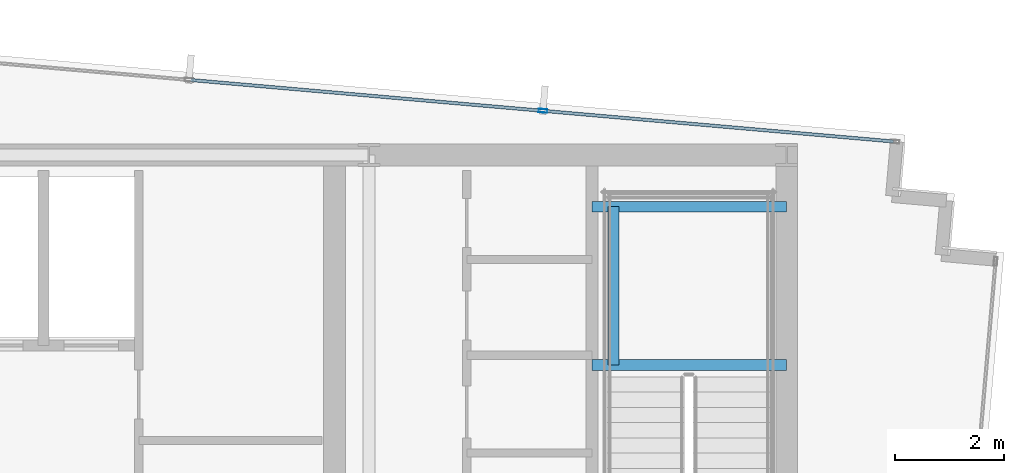
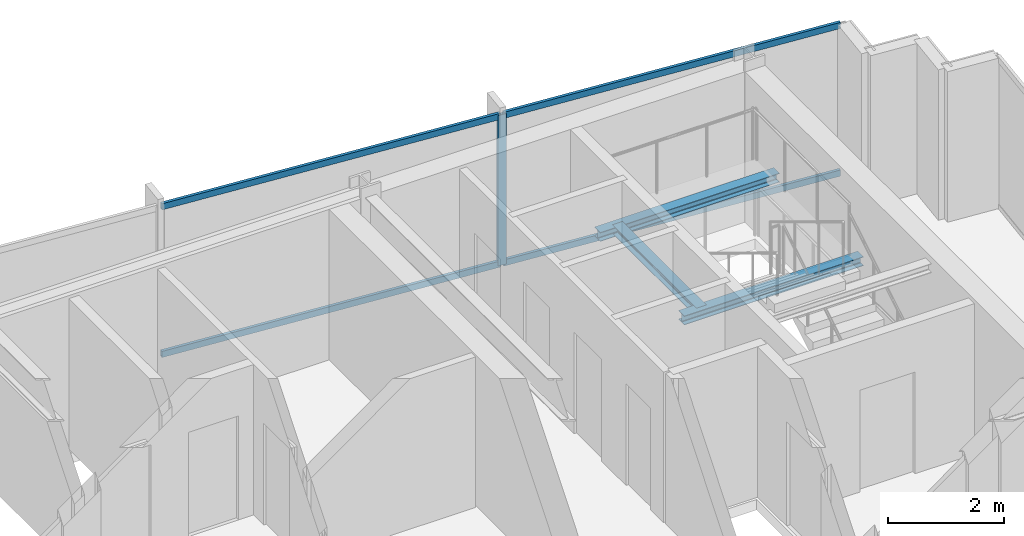
# One storey, part 20 of 32: 5 members, 3 beams, 1 element without a shape of its own.
"""IFC4 building model written with IfcOpenShell, lengths in metres."""

from ifc_helpers import new_model, si_unit, direction, frame, origin, origin_2d, place, context, subcontext, project, spatial, hollow_rectangle, i_section, extrude, material, material_profile, profile_set, type_object, element, aggregate, save


model = new_model("IFC4")

# Units and contexts
model_context = context("Model", 3, precision=1e-05, world=origin(), true_north=direction((0.0, 1.0)))
body_context = subcontext(model_context, "Body", "Model", "MODEL_VIEW")
ifc_project = project(units=[si_unit("LENGTHUNIT", "METRE"), si_unit("AREAUNIT", "SQUARE_METRE"), si_unit("VOLUMEUNIT", "CUBIC_METRE"), si_unit("PLANEANGLEUNIT", "RADIAN"), si_unit("MASSUNIT", "GRAM", prefix="KILO")], contexts=[model_context])

# Site, building, storey
site_placement = place(None, origin())
site = spatial("IfcSite", under=ifc_project, at=site_placement, CompositionType="ELEMENT")
building_placement = place(site_placement, origin())
building = spatial("IfcBuilding", under=site, at=building_placement, Name="Yelkora Congress Tower", CompositionType="ELEMENT")
storey_placement = place(building_placement, frame((0.0, 0.0, 293.10009765625)))
storey = spatial("IfcBuildingStorey", under=building, at=storey_placement, Name="L82", CompositionType="ELEMENT", Elevation=293.10009765625)

# Beams
ifc_material_1 = material(Name="Steel S355J2", Category="steel")
ifc_material_profile_1 = material_profile(ifc_material_1, i_section(OverallWidth=0.199951171875, OverallDepth=0.18994140625, WebThickness=0.006591796875, FlangeThickness=0.010009765625, FilletRadius=0.01806640625, at=origin_2d()), Name="HEA 200")
ifc_profile_set_1 = profile_set([ifc_material_profile_1], Name="Steel S355J2")
beam_type = type_object("IfcBeamType", Name="BM-LAND-HEA200", PredefinedType="BEAM", material=ifc_profile_set_1)
for number, where, z_axis, x_axis, name in (
    (1, (50.179931640625, 42.340087890625, 1.384521484375), (1.0, 0.0, 0.0), (0.0, 1.0, 0.0), "ST-02 L82 Landing Header Beam 1S"),
    (2, (50.179931640625, 45.25, 1.384521484375), (1.0, 0.0, 0.0), (0.0, 1.0, 0.0), "ST-02 L82 Landing Header Beam 1N"),
):
    element("IfcBeam", number, at=place(storey_placement, frame(where, z_axis=z_axis, x_axis=x_axis)), inside=storey, type_object=beam_type, Name=name, PredefinedType="BEAM", context=body_context, shape_type="SweptSolid", body=[
        extrude(i_section(OverallWidth=0.199951171875, OverallDepth=0.18994140625, WebThickness=0.006591796875, FlangeThickness=0.010009765625, FilletRadius=0.01806640625, at=origin_2d()), origin(), (0.0, 0.0, 1.0), 3.580078125),
    ])
beam_placement = place(storey_placement, frame((50.580078125, 42.340087890625, 1.384521484375), z_axis=(0.0, 1.0, 0.0), x_axis=(-1.0, 0.0, 0.0)))
element("IfcBeam", 3, at=beam_placement, inside=storey, type_object=beam_type, Name="ST-02 L82 Landing Trimmer Beam 1M", PredefinedType="BEAM", context=body_context, shape_type="SweptSolid", body=[
    extrude(i_section(OverallWidth=0.199951171875, OverallDepth=0.18994140625, WebThickness=0.006591796875, FlangeThickness=0.010009765625, FilletRadius=0.01806640625, at=origin_2d()), origin(), (0.0, 0.0, 1.0), 2.909912109375),
])

# Curtain wall, members
ifc_material_2 = material(Name="Anodised aluminium and insulated glass", Category="aluminium")
curtain_wall_type = type_object("IfcCurtainWallType", Name="CW-SYS-B5", PredefinedType="NOTDEFINED", material=ifc_material_2)
curtain_wall_placement = place(storey_placement, origin())
curtain_wall = element("IfcCurtainWall", 4, at=curtain_wall_placement, inside=storey, type_object=curtain_wall_type, Name="L82 Unitised Curtain Wall 10", PredefinedType="NOTDEFINED")
ifc_material_3 = material(Name="Anodised aluminium 6063-T6", Category="aluminium")
ifc_material_profile_2 = material_profile(ifc_material_3, hollow_rectangle(XDim=0.06494140625, YDim=0.159912109375, WallThickness=0.00390625, at=origin_2d()), Name="ALU 65x160x4")
ifc_profile_set_2 = profile_set([ifc_material_profile_2], Name="Anodised aluminium 6063-T6")
member_type_1 = type_object("IfcMemberType", Name="MEM-ML-B5", PredefinedType="MULLION", material=ifc_profile_set_2)
member_1_placement = place(storey_placement, frame((49.279541015625, 47.01220703125, 0.0), z_axis=(0.0, 0.0, 1.0), x_axis=(0.087156639893, 0.996194619601, 0.0)))
member_1 = element("IfcMember", 5, at=member_1_placement, type_object=member_type_1, Name="CW-B5 mullion 7", PredefinedType="MULLION", context=body_context, shape_type="SweptSolid", body=[
    extrude(hollow_rectangle(XDim=0.06494140625, YDim=0.159912109375, WallThickness=0.00390625, at=origin_2d()), origin(), (0.0, 0.0, 1.0), 3.179931640625),
])
ifc_material_profile_3 = material_profile(ifc_material_3, hollow_rectangle(XDim=0.06005859375, YDim=0.1298828125, WallThickness=0.00390625, at=origin_2d()), Name="ALU 60x130x4")
ifc_profile_set_3 = profile_set([ifc_material_profile_3], Name="Anodised aluminium 6063-T6")
member_type_2 = type_object("IfcMemberType", Name="MEM-TR-B5", PredefinedType="USERDEFINED", material=ifc_profile_set_3)
member_2_placement = place(storey_placement, frame((42.80517578125, 47.57861328125, 0.02978515625), z_axis=(0.996196257862, -0.087137912649, 0.0), x_axis=(0.087137912649, 0.996196257862, 0.0)))
member_2 = element("IfcMember", 6, at=member_2_placement, type_object=member_type_2, Name="CW-B5 transom 6.1", ObjectType="TRANSOM", PredefinedType="USERDEFINED", context=body_context, shape_type="SweptSolid", body=[
    extrude(hollow_rectangle(XDim=0.06005859375, YDim=0.1298828125, WallThickness=0.00390625, at=origin_2d()), origin(), (0.0, 0.0, 1.0), 6.466552734375),
])
member_3_placement = place(storey_placement, frame((42.80517578125, 47.57861328125, 3.14990234375), z_axis=(0.996196257862, -0.087137912649, 0.0), x_axis=(0.087137912649, 0.996196257862, 0.0)))
member_3 = element("IfcMember", 7, at=member_3_placement, type_object=member_type_2, Name="CW-B5 transom 6.2", ObjectType="TRANSOM", PredefinedType="USERDEFINED", context=body_context, shape_type="SweptSolid", body=[
    extrude(hollow_rectangle(XDim=0.06005859375, YDim=0.1298828125, WallThickness=0.00390625, at=origin_2d()), origin(), (0.0, 0.0, 1.0), 6.466552734375),
])
member_4_placement = place(storey_placement, frame((49.311767578125, 47.009521484375, 0.02978515625), z_axis=(0.996194170551, -0.08716177236, 0.0), x_axis=(0.08716177236, 0.996194170551, 0.0)))
member_4 = element("IfcMember", 8, at=member_4_placement, type_object=member_type_2, Name="CW-B5 transom 7.1", ObjectType="TRANSOM", PredefinedType="USERDEFINED", context=body_context, shape_type="SweptSolid", body=[
    extrude(hollow_rectangle(XDim=0.06005859375, YDim=0.1298828125, WallThickness=0.00390625, at=origin_2d()), origin(), (0.0, 0.0, 1.0), 6.433837890625),
])
member_5_placement = place(storey_placement, frame((49.311767578125, 47.009521484375, 3.14990234375), z_axis=(0.996194170551, -0.08716177236, 0.0), x_axis=(0.08716177236, 0.996194170551, 0.0)))
member_5 = element("IfcMember", 9, at=member_5_placement, type_object=member_type_2, Name="CW-B5 transom 7.2", ObjectType="TRANSOM", PredefinedType="USERDEFINED", context=body_context, shape_type="SweptSolid", body=[
    extrude(hollow_rectangle(XDim=0.06005859375, YDim=0.1298828125, WallThickness=0.00390625, at=origin_2d()), origin(), (0.0, 0.0, 1.0), 6.433837890625),
])
aggregate(curtain_wall, [member_1, member_2, member_3, member_4, member_5])

save(model, "model.ifc")
